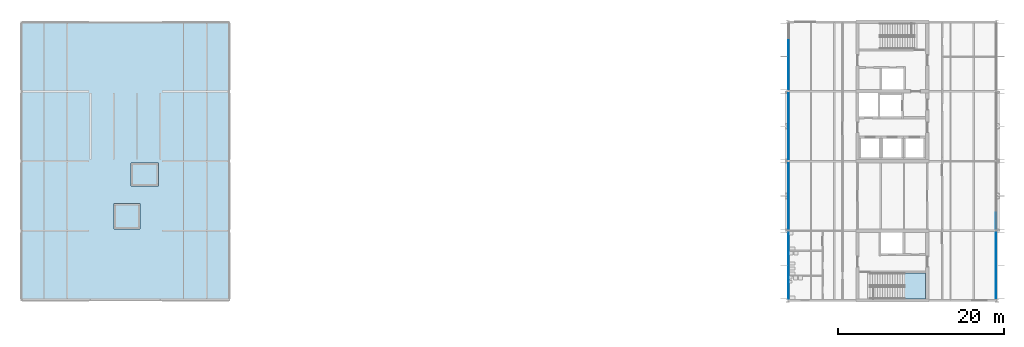
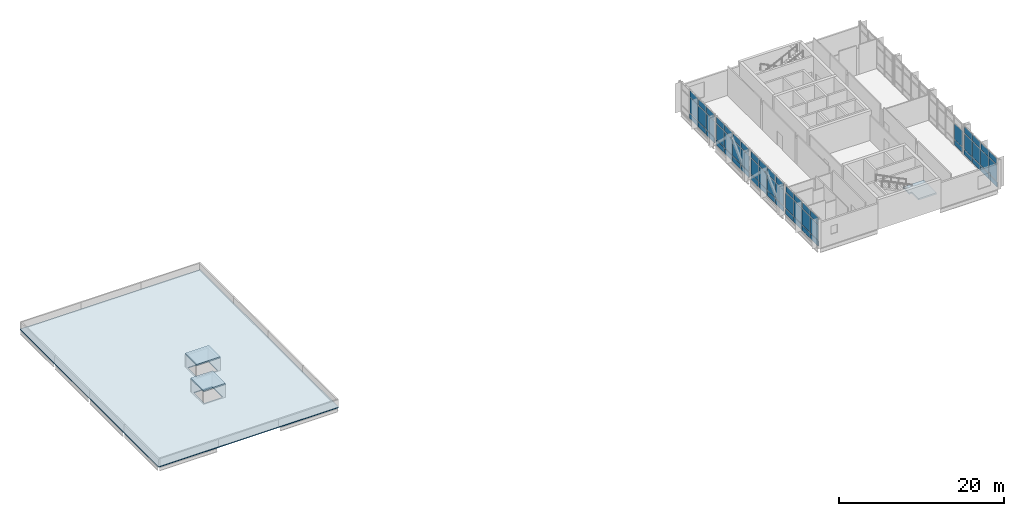
# One storey, part 7 of 14: 59 plates, 4 slabs, 7 elements without a shape of their own.
"""IFC4 building model written with IfcOpenShell, lengths in metres."""

from ifc_helpers import new_model, si_unit, direction, frame, origin, origin_2d, place, context, subcontext, project, spatial, polyline, rectangle, outline, extrude, material, layer, layer_set, type_object, element, aggregate, save


model = new_model("IFC4")

# Units and contexts
model_context = context("Model", 3, precision=1e-05, world=origin(), true_north=direction((0.0, 1.0)))
body_context = subcontext(model_context, "Body", "Model", "MODEL_VIEW")
ifc_project = project(units=[si_unit("LENGTHUNIT", "METRE"), si_unit("AREAUNIT", "SQUARE_METRE"), si_unit("VOLUMEUNIT", "CUBIC_METRE"), si_unit("PLANEANGLEUNIT", "RADIAN"), si_unit("MASSUNIT", "GRAM", prefix="KILO")], contexts=[model_context])

# Site, building, storey
site_placement = place(None, origin())
site = spatial("IfcSite", under=ifc_project, at=site_placement, CompositionType="ELEMENT")
building_placement = place(site_placement, origin())
building = spatial("IfcBuilding", under=site, at=building_placement, Name="Hlaing Beacon Police Headquarters", CompositionType="ELEMENT")
storey_placement = place(building_placement, frame((0.0, 0.0, 27.89990234375)))
storey = spatial("IfcBuildingStorey", under=building, at=storey_placement, Name="L06", CompositionType="ELEMENT", Elevation=27.89990234375)

# Curtain wall, plates
ifc_material_1 = material(Name="Aluminium frame with solar control glazing", Category="aluminium")
curtain_wall_type_1 = type_object("IfcCurtainWallType", Name="Unitised curtain wall 8.03 x 4.37", PredefinedType="NOTDEFINED", material=ifc_material_1)
curtain_wall_1_placement = place(storey_placement, origin())
curtain_wall_1 = element("IfcCurtainWall", 1, at=curtain_wall_1_placement, inside=storey, type_object=curtain_wall_type_1, Name="ENV-CW-L06-E001", PredefinedType="NOTDEFINED")
ifc_material_2 = material(Name="Solar control glazing", Category="glass")
ifc_layer_1 = layer(ifc_material_2, 0.0439453125)
ifc_layer_set_1 = layer_set([ifc_layer_1], Name="Solar control glazing")
plate_type_1 = type_object("IfcPlateType", Name="Clear glazing panel 44", PredefinedType="CURTAIN_PANEL", material=ifc_layer_set_1)
plate_1_placement = place(storey_placement, frame((125.89990234375, 36.801025390625, 0.9501953125), z_axis=(0.0, 0.0, 1.0), x_axis=(0.0, 1.0, 0.0)))
plate_1 = element("IfcPlate", 2, at=plate_1_placement, type_object=plate_type_1, Name="CW-L06-E001 panel 2.2", PredefinedType="CURTAIN_PANEL", context=body_context, shape_type="SweptSolid", body=[
    extrude(rectangle(XDim=1.947021484375, YDim=0.0439453125, at=origin_2d()), origin(), (0.0, 0.0, 1.0), 2.300048828125),
])
plate_2_placement = place(storey_placement, frame((125.89990234375, 40.7998046875, 0.9501953125), z_axis=(0.0, 0.0, 1.0), x_axis=(0.0, 1.0, 0.0)))
plate_2 = element("IfcPlate", 3, at=plate_2_placement, type_object=plate_type_1, Name="CW-L06-E001 panel 4.2", PredefinedType="CURTAIN_PANEL", context=body_context, shape_type="SweptSolid", body=[
    extrude(rectangle(XDim=1.9169921875, YDim=0.0439453125, at=origin_2d()), origin(), (0.0, 0.0, 1.0), 2.300048828125),
])

ifc_material_3 = material(Name="Aluminium frame with solar control glazing", Category="aluminium")
curtain_wall_type_2 = type_object("IfcCurtainWallType", Name="Unitised curtain wall 8.04 x 4.37", PredefinedType="NOTDEFINED", material=ifc_material_3)
curtain_wall_2_placement = place(storey_placement, origin())
curtain_wall_2 = element("IfcCurtainWall", 4, at=curtain_wall_2_placement, inside=storey, type_object=curtain_wall_type_2, Name="ENV-CW-L06-W005", PredefinedType="NOTDEFINED")
plate_3_placement = place(storey_placement, frame((100.89990234375, 64.007080078125, 0.9501953125), z_axis=(0.0, 0.0, 1.0), x_axis=(0.0, -1.0, 0.0)))
plate_3 = element("IfcPlate", 5, at=plate_3_placement, type_object=plate_type_1, Name="CW-L06-W005 panel 2.2", PredefinedType="CURTAIN_PANEL", context=body_context, shape_type="SweptSolid", body=[
    extrude(rectangle(XDim=1.9501953125, YDim=0.0439453125, at=origin_2d()), origin(), (0.0, 0.0, 1.0), 2.300048828125),
])
plate_4_placement = place(storey_placement, frame((100.89990234375, 60.001708984375, 0.9501953125), z_axis=(0.0, 0.0, 1.0), x_axis=(0.0, -1.0, 0.0)))
plate_4 = element("IfcPlate", 6, at=plate_4_placement, type_object=plate_type_1, Name="CW-L06-W005 panel 4.2", PredefinedType="CURTAIN_PANEL", context=body_context, shape_type="SweptSolid", body=[
    extrude(rectangle(XDim=1.920166015625, YDim=0.0439453125, at=origin_2d()), origin(), (0.0, 0.0, 1.0), 2.300048828125),
])

curtain_wall_3_placement = place(storey_placement, origin())
curtain_wall_3 = element("IfcCurtainWall", 7, at=curtain_wall_3_placement, inside=storey, type_object=curtain_wall_type_2, Name="ENV-CW-L06-W006", PredefinedType="NOTDEFINED")
plate_5_placement = place(storey_placement, frame((100.889892578125, 55.6044921875, 0.9501953125), z_axis=(0.0, 0.0, 1.0), x_axis=(0.0, -1.0, 0.0)))
plate_5 = element("IfcPlate", 8, at=plate_5_placement, type_object=plate_type_1, Name="CW-L06-W006 panel 2.2", PredefinedType="CURTAIN_PANEL", context=body_context, shape_type="SweptSolid", body=[
    extrude(rectangle(XDim=1.94921875, YDim=0.0439453125, at=origin_2d()), origin(), (0.0, 0.0, 1.0), 2.300048828125),
])
plate_6_placement = place(storey_placement, frame((100.889892578125, 51.601318359375, 0.9501953125), z_axis=(0.0, 0.0, 1.0), x_axis=(0.0, -1.0, 0.0)))
plate_6 = element("IfcPlate", 9, at=plate_6_placement, type_object=plate_type_1, Name="CW-L06-W006 panel 4.2", PredefinedType="CURTAIN_PANEL", context=body_context, shape_type="SweptSolid", body=[
    extrude(rectangle(XDim=1.919189453125, YDim=0.0439453125, at=origin_2d()), origin(), (0.0, 0.0, 1.0), 2.300048828125),
])

curtain_wall_4_placement = place(storey_placement, origin())
curtain_wall_4 = element("IfcCurtainWall", 10, at=curtain_wall_4_placement, inside=storey, type_object=curtain_wall_type_2, Name="ENV-CW-L06-W007", PredefinedType="NOTDEFINED")
plate_7_placement = place(storey_placement, frame((100.889892578125, 47.20458984375, 0.9501953125), z_axis=(0.0, 0.0, 1.0), x_axis=(0.0, -1.0, 0.0)))
plate_7 = element("IfcPlate", 11, at=plate_7_placement, type_object=plate_type_1, Name="CW-L06-W007 panel 2.2", PredefinedType="CURTAIN_PANEL", context=body_context, shape_type="SweptSolid", body=[
    extrude(rectangle(XDim=1.94921875, YDim=0.0439453125, at=origin_2d()), origin(), (0.0, 0.0, 1.0), 2.300048828125),
])
plate_8_placement = place(storey_placement, frame((100.889892578125, 43.201171875, 0.9501953125), z_axis=(0.0, 0.0, 1.0), x_axis=(0.0, -1.0, 0.0)))
plate_8 = element("IfcPlate", 12, at=plate_8_placement, type_object=plate_type_1, Name="CW-L06-W007 panel 4.2", PredefinedType="CURTAIN_PANEL", context=body_context, shape_type="SweptSolid", body=[
    extrude(rectangle(XDim=1.919189453125, YDim=0.0439453125, at=origin_2d()), origin(), (0.0, 0.0, 1.0), 2.300048828125),
])

curtain_wall_5_placement = place(storey_placement, origin())
curtain_wall_5 = element("IfcCurtainWall", 13, at=curtain_wall_5_placement, inside=storey, type_object=curtain_wall_type_2, Name="ENV-CW-L06-W008", PredefinedType="NOTDEFINED")
plate_9_placement = place(storey_placement, frame((100.89990234375, 38.80322265625, 0.9501953125), z_axis=(0.0, 0.0, 1.0), x_axis=(0.0, -1.0, 0.0)))
plate_9 = element("IfcPlate", 14, at=plate_9_placement, type_object=plate_type_1, Name="CW-L06-W008 panel 2.2", PredefinedType="CURTAIN_PANEL", context=body_context, shape_type="SweptSolid", body=[
    extrude(rectangle(XDim=1.9501953125, YDim=0.0439453125, at=origin_2d()), origin(), (0.0, 0.0, 1.0), 2.300048828125),
])
plate_10_placement = place(storey_placement, frame((100.89990234375, 34.7978515625, 0.9501953125), z_axis=(0.0, 0.0, 1.0), x_axis=(0.0, -1.0, 0.0)))
plate_10 = element("IfcPlate", 15, at=plate_10_placement, type_object=plate_type_1, Name="CW-L06-W008 panel 4.2", PredefinedType="CURTAIN_PANEL", context=body_context, shape_type="SweptSolid", body=[
    extrude(rectangle(XDim=1.920166015625, YDim=0.0439453125, at=origin_2d()), origin(), (0.0, 0.0, 1.0), 2.300048828125),
])

# Plate
ifc_material_4 = material(Name="Fritted solar control glazing", Category="glass")
ifc_layer_2 = layer(ifc_material_4, 0.0439453125)
ifc_layer_set_2 = layer_set([ifc_layer_2], Name="Fritted solar control glazing")
plate_type_2 = type_object("IfcPlateType", Name="Fritted glazing panel 44", PredefinedType="CURTAIN_PANEL", material=ifc_layer_set_2)
plate_11_placement = place(storey_placement, frame((125.89990234375, 34.80908203125, 0.9501953125), z_axis=(0.0, 0.0, 1.0), x_axis=(0.0, 1.0, 0.0)))
plate_11 = element("IfcPlate", 16, at=plate_11_placement, type_object=plate_type_2, Name="CW-L06-E001 panel 1.2", PredefinedType="CURTAIN_PANEL", context=body_context, shape_type="SweptSolid", body=[
    extrude(rectangle(XDim=1.9169921875, YDim=0.0439453125, at=origin_2d()), origin(), (0.0, 0.0, 1.0), 2.300048828125),
])

plate_12_placement = place(storey_placement, frame((125.89990234375, 38.807861328125, 0.9501953125), z_axis=(0.0, 0.0, 1.0), x_axis=(0.0, 1.0, 0.0)))
plate_12 = element("IfcPlate", 17, at=plate_12_placement, type_object=plate_type_2, Name="CW-L06-E001 panel 3.2", PredefinedType="CURTAIN_PANEL", context=body_context, shape_type="SweptSolid", body=[
    extrude(rectangle(XDim=1.947021484375, YDim=0.0439453125, at=origin_2d()), origin(), (0.0, 0.0, 1.0), 2.300048828125),
])

# Curtain wall, plate
curtain_wall_6_placement = place(storey_placement, origin())
curtain_wall_6 = element("IfcCurtainWall", 18, at=curtain_wall_6_placement, inside=storey, type_object=curtain_wall_type_2, Name="ENV-CW-L06-E002", PredefinedType="NOTDEFINED")
plate_13_placement = place(storey_placement, frame((125.909912109375, 43.201171875, 0.9501953125), z_axis=(0.0, 0.0, 1.0), x_axis=(0.0, 1.0, 0.0)))
plate_13 = element("IfcPlate", 19, at=plate_13_placement, type_object=plate_type_2, Name="CW-L06-E002 panel 1.2", PredefinedType="CURTAIN_PANEL", context=body_context, shape_type="SweptSolid", body=[
    extrude(rectangle(XDim=1.919189453125, YDim=0.0439453125, at=origin_2d()), origin(), (0.0, 0.0, 1.0), 2.300048828125),
])

# Plate
plate_14_placement = place(storey_placement, frame((100.89990234375, 61.996826171875, 0.9501953125), z_axis=(0.0, 0.0, 1.0), x_axis=(0.0, -1.0, 0.0)))
plate_14 = element("IfcPlate", 20, at=plate_14_placement, type_object=plate_type_2, Name="CW-L06-W005 panel 3.2", PredefinedType="CURTAIN_PANEL", context=body_context, shape_type="SweptSolid", body=[
    extrude(rectangle(XDim=1.9501953125, YDim=0.0439453125, at=origin_2d()), origin(), (0.0, 0.0, 1.0), 2.300048828125),
])

plate_15_placement = place(storey_placement, frame((100.889892578125, 57.598876953125, 0.9501953125), z_axis=(0.0, 0.0, 1.0), x_axis=(0.0, -1.0, 0.0)))
plate_15 = element("IfcPlate", 21, at=plate_15_placement, type_object=plate_type_2, Name="CW-L06-W006 panel 1.2", PredefinedType="CURTAIN_PANEL", context=body_context, shape_type="SweptSolid", body=[
    extrude(rectangle(XDim=1.919189453125, YDim=0.0439453125, at=origin_2d()), origin(), (0.0, 0.0, 1.0), 2.300048828125),
])

plate_16_placement = place(storey_placement, frame((100.889892578125, 53.595458984375, 0.9501953125), z_axis=(0.0, 0.0, 1.0), x_axis=(0.0, -1.0, 0.0)))
plate_16 = element("IfcPlate", 22, at=plate_16_placement, type_object=plate_type_2, Name="CW-L06-W006 panel 3.2", PredefinedType="CURTAIN_PANEL", context=body_context, shape_type="SweptSolid", body=[
    extrude(rectangle(XDim=1.94921875, YDim=0.0439453125, at=origin_2d()), origin(), (0.0, 0.0, 1.0), 2.300048828125),
])

plate_17_placement = place(storey_placement, frame((100.889892578125, 49.19873046875, 0.9501953125), z_axis=(0.0, 0.0, 1.0), x_axis=(0.0, -1.0, 0.0)))
plate_17 = element("IfcPlate", 23, at=plate_17_placement, type_object=plate_type_2, Name="CW-L06-W007 panel 1.2", PredefinedType="CURTAIN_PANEL", context=body_context, shape_type="SweptSolid", body=[
    extrude(rectangle(XDim=1.919189453125, YDim=0.0439453125, at=origin_2d()), origin(), (0.0, 0.0, 1.0), 2.300048828125),
])

plate_18_placement = place(storey_placement, frame((100.889892578125, 45.1953125, 0.9501953125), z_axis=(0.0, 0.0, 1.0), x_axis=(0.0, -1.0, 0.0)))
plate_18 = element("IfcPlate", 24, at=plate_18_placement, type_object=plate_type_2, Name="CW-L06-W007 panel 3.2", PredefinedType="CURTAIN_PANEL", context=body_context, shape_type="SweptSolid", body=[
    extrude(rectangle(XDim=1.94921875, YDim=0.0439453125, at=origin_2d()), origin(), (0.0, 0.0, 1.0), 2.300048828125),
])

plate_19_placement = place(storey_placement, frame((100.89990234375, 40.79833984375, 0.9501953125), z_axis=(0.0, 0.0, 1.0), x_axis=(0.0, -1.0, 0.0)))
plate_19 = element("IfcPlate", 25, at=plate_19_placement, type_object=plate_type_2, Name="CW-L06-W008 panel 1.2", PredefinedType="CURTAIN_PANEL", context=body_context, shape_type="SweptSolid", body=[
    extrude(rectangle(XDim=1.920166015625, YDim=0.0439453125, at=origin_2d()), origin(), (0.0, 0.0, 1.0), 2.300048828125),
])

plate_20_placement = place(storey_placement, frame((100.89990234375, 36.79296875, 0.9501953125), z_axis=(0.0, 0.0, 1.0), x_axis=(0.0, -1.0, 0.0)))
plate_20 = element("IfcPlate", 26, at=plate_20_placement, type_object=plate_type_2, Name="CW-L06-W008 panel 3.2", PredefinedType="CURTAIN_PANEL", context=body_context, shape_type="SweptSolid", body=[
    extrude(rectangle(XDim=1.9501953125, YDim=0.0439453125, at=origin_2d()), origin(), (0.0, 0.0, 1.0), 2.300048828125),
])

ifc_material_5 = material(Name="Insulated aluminium spandrel", Category="aluminium")
ifc_layer_3 = layer(ifc_material_5, 0.06005859375)
ifc_layer_set_3 = layer_set([ifc_layer_3], Name="Insulated aluminium spandrel")
plate_type_3 = type_object("IfcPlateType", Name="Insulated spandrel panel 60", PredefinedType="CURTAIN_PANEL", material=ifc_layer_set_3)
plate_21_placement = place(storey_placement, frame((125.89990234375, 34.80908203125, 0.10009765625), z_axis=(0.0, 0.0, 1.0), x_axis=(0.0, 1.0, 0.0)))
plate_21 = element("IfcPlate", 27, at=plate_21_placement, type_object=plate_type_3, Name="CW-L06-E001 panel 1.1", PredefinedType="CURTAIN_PANEL", context=body_context, shape_type="SweptSolid", body=[
    extrude(rectangle(XDim=1.9169921875, YDim=0.06005859375, at=origin_2d()), origin(), (0.0, 0.0, 1.0), 0.75),
])

plate_22_placement = place(storey_placement, frame((125.89990234375, 36.801025390625, 0.10009765625), z_axis=(0.0, 0.0, 1.0), x_axis=(0.0, 1.0, 0.0)))
plate_22 = element("IfcPlate", 28, at=plate_22_placement, type_object=plate_type_3, Name="CW-L06-E001 panel 2.1", PredefinedType="CURTAIN_PANEL", context=body_context, shape_type="SweptSolid", body=[
    extrude(rectangle(XDim=1.947021484375, YDim=0.06005859375, at=origin_2d()), origin(), (0.0, 0.0, 1.0), 0.75),
])

plate_23_placement = place(storey_placement, frame((125.89990234375, 38.807861328125, 0.10009765625), z_axis=(0.0, 0.0, 1.0), x_axis=(0.0, 1.0, 0.0)))
plate_23 = element("IfcPlate", 29, at=plate_23_placement, type_object=plate_type_3, Name="CW-L06-E001 panel 3.1", PredefinedType="CURTAIN_PANEL", context=body_context, shape_type="SweptSolid", body=[
    extrude(rectangle(XDim=1.947021484375, YDim=0.06005859375, at=origin_2d()), origin(), (0.0, 0.0, 1.0), 0.75),
])

plate_24_placement = place(storey_placement, frame((125.89990234375, 40.7998046875, 0.10009765625), z_axis=(0.0, 0.0, 1.0), x_axis=(0.0, 1.0, 0.0)))
plate_24 = element("IfcPlate", 30, at=plate_24_placement, type_object=plate_type_3, Name="CW-L06-E001 panel 4.1", PredefinedType="CURTAIN_PANEL", context=body_context, shape_type="SweptSolid", body=[
    extrude(rectangle(XDim=1.9169921875, YDim=0.06005859375, at=origin_2d()), origin(), (0.0, 0.0, 1.0), 0.75),
])

plate_25_placement = place(storey_placement, frame((125.909912109375, 43.201171875, 0.10009765625), z_axis=(0.0, 0.0, 1.0), x_axis=(0.0, 1.0, 0.0)))
plate_25 = element("IfcPlate", 31, at=plate_25_placement, type_object=plate_type_3, Name="CW-L06-E002 panel 1.1", PredefinedType="CURTAIN_PANEL", context=body_context, shape_type="SweptSolid", body=[
    extrude(rectangle(XDim=1.919189453125, YDim=0.06005859375, at=origin_2d()), origin(), (0.0, 0.0, 1.0), 0.75),
])

aggregate(curtain_wall_6, [plate_25, plate_13])

ifc_material_6 = material(Name="Insulated aluminium spandrel", Category="aluminium")
ifc_layer_4 = layer(ifc_material_6, 0.080078125)
ifc_layer_set_4 = layer_set([ifc_layer_4], Name="Insulated aluminium spandrel")
plate_type_4 = type_object("IfcPlateType", Name="Insulated spandrel panel 80", PredefinedType="CURTAIN_PANEL", material=ifc_layer_set_4)
plate_26_placement = place(storey_placement, frame((100.89990234375, 64.007080078125, 0.10009765625), z_axis=(0.0, 0.0, 1.0), x_axis=(0.0, -1.0, 0.0)))
plate_26 = element("IfcPlate", 32, at=plate_26_placement, type_object=plate_type_4, Name="CW-L06-W005 panel 2.1", PredefinedType="CURTAIN_PANEL", context=body_context, shape_type="SweptSolid", body=[
    extrude(rectangle(XDim=1.9501953125, YDim=0.080078125, at=origin_2d()), origin(), (0.0, 0.0, 1.0), 0.75),
])

plate_27_placement = place(storey_placement, frame((100.89990234375, 61.996826171875, 0.10009765625), z_axis=(0.0, 0.0, 1.0), x_axis=(0.0, -1.0, 0.0)))
plate_27 = element("IfcPlate", 33, at=plate_27_placement, type_object=plate_type_4, Name="CW-L06-W005 panel 3.1", PredefinedType="CURTAIN_PANEL", context=body_context, shape_type="SweptSolid", body=[
    extrude(rectangle(XDim=1.9501953125, YDim=0.080078125, at=origin_2d()), origin(), (0.0, 0.0, 1.0), 0.75),
])

plate_28_placement = place(storey_placement, frame((100.89990234375, 60.001708984375, 0.10009765625), z_axis=(0.0, 0.0, 1.0), x_axis=(0.0, -1.0, 0.0)))
plate_28 = element("IfcPlate", 34, at=plate_28_placement, type_object=plate_type_4, Name="CW-L06-W005 panel 4.1", PredefinedType="CURTAIN_PANEL", context=body_context, shape_type="SweptSolid", body=[
    extrude(rectangle(XDim=1.920166015625, YDim=0.080078125, at=origin_2d()), origin(), (0.0, 0.0, 1.0), 0.75),
])

plate_29_placement = place(storey_placement, frame((100.889892578125, 57.598876953125, 0.10009765625), z_axis=(0.0, 0.0, 1.0), x_axis=(0.0, -1.0, 0.0)))
plate_29 = element("IfcPlate", 35, at=plate_29_placement, type_object=plate_type_4, Name="CW-L06-W006 panel 1.1", PredefinedType="CURTAIN_PANEL", context=body_context, shape_type="SweptSolid", body=[
    extrude(rectangle(XDim=1.919189453125, YDim=0.080078125, at=origin_2d()), origin(), (0.0, 0.0, 1.0), 0.75),
])

plate_30_placement = place(storey_placement, frame((100.889892578125, 55.6044921875, 0.10009765625), z_axis=(0.0, 0.0, 1.0), x_axis=(0.0, -1.0, 0.0)))
plate_30 = element("IfcPlate", 36, at=plate_30_placement, type_object=plate_type_4, Name="CW-L06-W006 panel 2.1", PredefinedType="CURTAIN_PANEL", context=body_context, shape_type="SweptSolid", body=[
    extrude(rectangle(XDim=1.94921875, YDim=0.080078125, at=origin_2d()), origin(), (0.0, 0.0, 1.0), 0.75),
])

plate_31_placement = place(storey_placement, frame((100.889892578125, 53.595458984375, 0.10009765625), z_axis=(0.0, 0.0, 1.0), x_axis=(0.0, -1.0, 0.0)))
plate_31 = element("IfcPlate", 37, at=plate_31_placement, type_object=plate_type_4, Name="CW-L06-W006 panel 3.1", PredefinedType="CURTAIN_PANEL", context=body_context, shape_type="SweptSolid", body=[
    extrude(rectangle(XDim=1.94921875, YDim=0.080078125, at=origin_2d()), origin(), (0.0, 0.0, 1.0), 0.75),
])

plate_32_placement = place(storey_placement, frame((100.889892578125, 51.601318359375, 0.10009765625), z_axis=(0.0, 0.0, 1.0), x_axis=(0.0, -1.0, 0.0)))
plate_32 = element("IfcPlate", 38, at=plate_32_placement, type_object=plate_type_4, Name="CW-L06-W006 panel 4.1", PredefinedType="CURTAIN_PANEL", context=body_context, shape_type="SweptSolid", body=[
    extrude(rectangle(XDim=1.919189453125, YDim=0.080078125, at=origin_2d()), origin(), (0.0, 0.0, 1.0), 0.75),
])

plate_33_placement = place(storey_placement, frame((100.889892578125, 49.19873046875, 0.10009765625), z_axis=(0.0, 0.0, 1.0), x_axis=(0.0, -1.0, 0.0)))
plate_33 = element("IfcPlate", 39, at=plate_33_placement, type_object=plate_type_4, Name="CW-L06-W007 panel 1.1", PredefinedType="CURTAIN_PANEL", context=body_context, shape_type="SweptSolid", body=[
    extrude(rectangle(XDim=1.919189453125, YDim=0.080078125, at=origin_2d()), origin(), (0.0, 0.0, 1.0), 0.75),
])

plate_34_placement = place(storey_placement, frame((100.889892578125, 47.20458984375, 0.10009765625), z_axis=(0.0, 0.0, 1.0), x_axis=(0.0, -1.0, 0.0)))
plate_34 = element("IfcPlate", 40, at=plate_34_placement, type_object=plate_type_4, Name="CW-L06-W007 panel 2.1", PredefinedType="CURTAIN_PANEL", context=body_context, shape_type="SweptSolid", body=[
    extrude(rectangle(XDim=1.94921875, YDim=0.080078125, at=origin_2d()), origin(), (0.0, 0.0, 1.0), 0.75),
])

plate_35_placement = place(storey_placement, frame((100.889892578125, 45.1953125, 0.10009765625), z_axis=(0.0, 0.0, 1.0), x_axis=(0.0, -1.0, 0.0)))
plate_35 = element("IfcPlate", 41, at=plate_35_placement, type_object=plate_type_4, Name="CW-L06-W007 panel 3.1", PredefinedType="CURTAIN_PANEL", context=body_context, shape_type="SweptSolid", body=[
    extrude(rectangle(XDim=1.94921875, YDim=0.080078125, at=origin_2d()), origin(), (0.0, 0.0, 1.0), 0.75),
])

plate_36_placement = place(storey_placement, frame((100.889892578125, 43.201171875, 0.10009765625), z_axis=(0.0, 0.0, 1.0), x_axis=(0.0, -1.0, 0.0)))
plate_36 = element("IfcPlate", 42, at=plate_36_placement, type_object=plate_type_4, Name="CW-L06-W007 panel 4.1", PredefinedType="CURTAIN_PANEL", context=body_context, shape_type="SweptSolid", body=[
    extrude(rectangle(XDim=1.919189453125, YDim=0.080078125, at=origin_2d()), origin(), (0.0, 0.0, 1.0), 0.75),
])

plate_37_placement = place(storey_placement, frame((100.89990234375, 40.79833984375, 0.10009765625), z_axis=(0.0, 0.0, 1.0), x_axis=(0.0, -1.0, 0.0)))
plate_37 = element("IfcPlate", 43, at=plate_37_placement, type_object=plate_type_4, Name="CW-L06-W008 panel 1.1", PredefinedType="CURTAIN_PANEL", context=body_context, shape_type="SweptSolid", body=[
    extrude(rectangle(XDim=1.920166015625, YDim=0.080078125, at=origin_2d()), origin(), (0.0, 0.0, 1.0), 0.75),
])

plate_38_placement = place(storey_placement, frame((100.89990234375, 38.80322265625, 0.10009765625), z_axis=(0.0, 0.0, 1.0), x_axis=(0.0, -1.0, 0.0)))
plate_38 = element("IfcPlate", 44, at=plate_38_placement, type_object=plate_type_4, Name="CW-L06-W008 panel 2.1", PredefinedType="CURTAIN_PANEL", context=body_context, shape_type="SweptSolid", body=[
    extrude(rectangle(XDim=1.9501953125, YDim=0.080078125, at=origin_2d()), origin(), (0.0, 0.0, 1.0), 0.75),
])

plate_39_placement = place(storey_placement, frame((100.89990234375, 36.79296875, 0.10009765625), z_axis=(0.0, 0.0, 1.0), x_axis=(0.0, -1.0, 0.0)))
plate_39 = element("IfcPlate", 45, at=plate_39_placement, type_object=plate_type_4, Name="CW-L06-W008 panel 3.1", PredefinedType="CURTAIN_PANEL", context=body_context, shape_type="SweptSolid", body=[
    extrude(rectangle(XDim=1.9501953125, YDim=0.080078125, at=origin_2d()), origin(), (0.0, 0.0, 1.0), 0.75),
])

plate_40_placement = place(storey_placement, frame((100.89990234375, 34.7978515625, 0.10009765625), z_axis=(0.0, 0.0, 1.0), x_axis=(0.0, -1.0, 0.0)))
plate_40 = element("IfcPlate", 46, at=plate_40_placement, type_object=plate_type_4, Name="CW-L06-W008 panel 4.1", PredefinedType="CURTAIN_PANEL", context=body_context, shape_type="SweptSolid", body=[
    extrude(rectangle(XDim=1.920166015625, YDim=0.080078125, at=origin_2d()), origin(), (0.0, 0.0, 1.0), 0.75),
])

# Slabs
ifc_material_7 = material(Name="Concrete C40/50", Category="concrete")
ifc_layer_5 = layer(ifc_material_7, 0.199951171875)
ifc_layer_set_5 = layer_set([ifc_layer_5], Name="Concrete C40/50")
slab_type_1 = type_object("IfcSlabType", Name="Overrun roof slab 200", PredefinedType="ROOF", material=ifc_layer_set_5)
slab_1_placement = place(storey_placement, frame((0.0, 0.0, 1.900146484375)))
element("IfcSlab", 47, at=slab_1_placement, inside=storey, type_object=slab_type_1, Name="Lift overrun roof", PredefinedType="ROOF", context=body_context, shape_type="SweptSolid", body=[
    extrude(outline(polyline([(21.699951171875, 47.39990234375), (25.0, 47.39990234375), (25.0, 50.199951171875), (21.699951171875, 50.199951171875), (21.699951171875, 47.39990234375)])), origin(), (0.0, 0.0, 1.0), 0.199951171875),
])
slab_2_placement = place(storey_placement, frame((0.0, 0.0, 1.900146484375)))
element("IfcSlab", 48, at=slab_2_placement, inside=storey, type_object=slab_type_1, Name="Lift overrun roof", PredefinedType="ROOF", context=body_context, shape_type="SweptSolid", body=[
    extrude(outline(polyline([(19.64990234375, 42.199951171875), (22.75, 42.199951171875), (22.75, 45.300048828125), (19.64990234375, 45.300048828125), (19.64990234375, 42.199951171875)])), origin(), (0.0, 0.0, 1.0), 0.199951171875),
])

# Plate
ifc_material_8 = material(Name="Perforated aluminium", Category="aluminium")
ifc_layer_6 = layer(ifc_material_8, 0.00390625)
ifc_layer_set_6 = layer_set([ifc_layer_6], Name="Perforated aluminium")
plate_type_5 = type_object("IfcPlateType", Name="Perforated aluminium vent panel 4", PredefinedType="CURTAIN_PANEL", material=ifc_layer_set_6)
plate_41_placement = place(storey_placement, frame((125.89990234375, 34.80908203125, 3.35009765625), z_axis=(0.0, 0.0, 1.0), x_axis=(0.0, 1.0, 0.0)))
plate_41 = element("IfcPlate", 49, at=plate_41_placement, type_object=plate_type_5, Name="CW-L06-E001 panel 1.3", PredefinedType="CURTAIN_PANEL", context=body_context, shape_type="SweptSolid", body=[
    extrude(rectangle(XDim=1.9169921875, YDim=0.00390625, at=origin_2d()), origin(), (0.0, 0.0, 1.0), 0.919921875),
])

plate_42_placement = place(storey_placement, frame((125.89990234375, 36.801025390625, 3.35009765625), z_axis=(0.0, 0.0, 1.0), x_axis=(0.0, 1.0, 0.0)))
plate_42 = element("IfcPlate", 50, at=plate_42_placement, type_object=plate_type_5, Name="CW-L06-E001 panel 2.3", PredefinedType="CURTAIN_PANEL", context=body_context, shape_type="SweptSolid", body=[
    extrude(rectangle(XDim=1.947021484375, YDim=0.00390625, at=origin_2d()), origin(), (0.0, 0.0, 1.0), 0.919921875),
])

plate_43_placement = place(storey_placement, frame((125.89990234375, 38.807861328125, 3.35009765625), z_axis=(0.0, 0.0, 1.0), x_axis=(0.0, 1.0, 0.0)))
plate_43 = element("IfcPlate", 51, at=plate_43_placement, type_object=plate_type_5, Name="CW-L06-E001 panel 3.3", PredefinedType="CURTAIN_PANEL", context=body_context, shape_type="SweptSolid", body=[
    extrude(rectangle(XDim=1.947021484375, YDim=0.00390625, at=origin_2d()), origin(), (0.0, 0.0, 1.0), 0.919921875),
])

plate_44_placement = place(storey_placement, frame((125.89990234375, 40.7998046875, 3.35009765625), z_axis=(0.0, 0.0, 1.0), x_axis=(0.0, 1.0, 0.0)))
plate_44 = element("IfcPlate", 52, at=plate_44_placement, type_object=plate_type_5, Name="CW-L06-E001 panel 4.3", PredefinedType="CURTAIN_PANEL", context=body_context, shape_type="SweptSolid", body=[
    extrude(rectangle(XDim=1.9169921875, YDim=0.00390625, at=origin_2d()), origin(), (0.0, 0.0, 1.0), 0.919921875),
])

aggregate(curtain_wall_1, [plate_21, plate_11, plate_41, plate_22, plate_1, plate_42, plate_23, plate_12, plate_43, plate_24, plate_2, plate_44])

plate_45_placement = place(storey_placement, frame((100.89990234375, 64.007080078125, 3.35009765625), z_axis=(0.0, 0.0, 1.0), x_axis=(0.0, -1.0, 0.0)))
plate_45 = element("IfcPlate", 53, at=plate_45_placement, type_object=plate_type_5, Name="CW-L06-W005 panel 2.3", PredefinedType="CURTAIN_PANEL", context=body_context, shape_type="SweptSolid", body=[
    extrude(rectangle(XDim=1.9501953125, YDim=0.00390625, at=origin_2d()), origin(), (0.0, 0.0, 1.0), 0.919921875),
])

plate_46_placement = place(storey_placement, frame((100.89990234375, 61.996826171875, 3.35009765625), z_axis=(0.0, 0.0, 1.0), x_axis=(0.0, -1.0, 0.0)))
plate_46 = element("IfcPlate", 54, at=plate_46_placement, type_object=plate_type_5, Name="CW-L06-W005 panel 3.3", PredefinedType="CURTAIN_PANEL", context=body_context, shape_type="SweptSolid", body=[
    extrude(rectangle(XDim=1.9501953125, YDim=0.00390625, at=origin_2d()), origin(), (0.0, 0.0, 1.0), 0.919921875),
])

plate_47_placement = place(storey_placement, frame((100.89990234375, 60.001708984375, 3.35009765625), z_axis=(0.0, 0.0, 1.0), x_axis=(0.0, -1.0, 0.0)))
plate_47 = element("IfcPlate", 55, at=plate_47_placement, type_object=plate_type_5, Name="CW-L06-W005 panel 4.3", PredefinedType="CURTAIN_PANEL", context=body_context, shape_type="SweptSolid", body=[
    extrude(rectangle(XDim=1.920166015625, YDim=0.00390625, at=origin_2d()), origin(), (0.0, 0.0, 1.0), 0.919921875),
])

aggregate(curtain_wall_2, [plate_26, plate_3, plate_45, plate_27, plate_14, plate_46, plate_28, plate_4, plate_47])

plate_48_placement = place(storey_placement, frame((100.889892578125, 57.598876953125, 3.35009765625), z_axis=(0.0, 0.0, 1.0), x_axis=(0.0, -1.0, 0.0)))
plate_48 = element("IfcPlate", 56, at=plate_48_placement, type_object=plate_type_5, Name="CW-L06-W006 panel 1.3", PredefinedType="CURTAIN_PANEL", context=body_context, shape_type="SweptSolid", body=[
    extrude(rectangle(XDim=1.919189453125, YDim=0.00390625, at=origin_2d()), origin(), (0.0, 0.0, 1.0), 0.919921875),
])

plate_49_placement = place(storey_placement, frame((100.889892578125, 55.6044921875, 3.35009765625), z_axis=(0.0, 0.0, 1.0), x_axis=(0.0, -1.0, 0.0)))
plate_49 = element("IfcPlate", 57, at=plate_49_placement, type_object=plate_type_5, Name="CW-L06-W006 panel 2.3", PredefinedType="CURTAIN_PANEL", context=body_context, shape_type="SweptSolid", body=[
    extrude(rectangle(XDim=1.94921875, YDim=0.00390625, at=origin_2d()), origin(), (0.0, 0.0, 1.0), 0.919921875),
])

plate_50_placement = place(storey_placement, frame((100.889892578125, 53.595458984375, 3.35009765625), z_axis=(0.0, 0.0, 1.0), x_axis=(0.0, -1.0, 0.0)))
plate_50 = element("IfcPlate", 58, at=plate_50_placement, type_object=plate_type_5, Name="CW-L06-W006 panel 3.3", PredefinedType="CURTAIN_PANEL", context=body_context, shape_type="SweptSolid", body=[
    extrude(rectangle(XDim=1.94921875, YDim=0.00390625, at=origin_2d()), origin(), (0.0, 0.0, 1.0), 0.919921875),
])

plate_51_placement = place(storey_placement, frame((100.889892578125, 51.601318359375, 3.35009765625), z_axis=(0.0, 0.0, 1.0), x_axis=(0.0, -1.0, 0.0)))
plate_51 = element("IfcPlate", 59, at=plate_51_placement, type_object=plate_type_5, Name="CW-L06-W006 panel 4.3", PredefinedType="CURTAIN_PANEL", context=body_context, shape_type="SweptSolid", body=[
    extrude(rectangle(XDim=1.919189453125, YDim=0.00390625, at=origin_2d()), origin(), (0.0, 0.0, 1.0), 0.919921875),
])

aggregate(curtain_wall_3, [plate_29, plate_15, plate_48, plate_30, plate_5, plate_49, plate_31, plate_16, plate_50, plate_32, plate_6, plate_51])

plate_52_placement = place(storey_placement, frame((100.889892578125, 49.19873046875, 3.35009765625), z_axis=(0.0, 0.0, 1.0), x_axis=(0.0, -1.0, 0.0)))
plate_52 = element("IfcPlate", 60, at=plate_52_placement, type_object=plate_type_5, Name="CW-L06-W007 panel 1.3", PredefinedType="CURTAIN_PANEL", context=body_context, shape_type="SweptSolid", body=[
    extrude(rectangle(XDim=1.919189453125, YDim=0.00390625, at=origin_2d()), origin(), (0.0, 0.0, 1.0), 0.919921875),
])

plate_53_placement = place(storey_placement, frame((100.889892578125, 47.20458984375, 3.35009765625), z_axis=(0.0, 0.0, 1.0), x_axis=(0.0, -1.0, 0.0)))
plate_53 = element("IfcPlate", 61, at=plate_53_placement, type_object=plate_type_5, Name="CW-L06-W007 panel 2.3", PredefinedType="CURTAIN_PANEL", context=body_context, shape_type="SweptSolid", body=[
    extrude(rectangle(XDim=1.94921875, YDim=0.00390625, at=origin_2d()), origin(), (0.0, 0.0, 1.0), 0.919921875),
])

plate_54_placement = place(storey_placement, frame((100.889892578125, 45.1953125, 3.35009765625), z_axis=(0.0, 0.0, 1.0), x_axis=(0.0, -1.0, 0.0)))
plate_54 = element("IfcPlate", 62, at=plate_54_placement, type_object=plate_type_5, Name="CW-L06-W007 panel 3.3", PredefinedType="CURTAIN_PANEL", context=body_context, shape_type="SweptSolid", body=[
    extrude(rectangle(XDim=1.94921875, YDim=0.00390625, at=origin_2d()), origin(), (0.0, 0.0, 1.0), 0.919921875),
])

plate_55_placement = place(storey_placement, frame((100.889892578125, 43.201171875, 3.35009765625), z_axis=(0.0, 0.0, 1.0), x_axis=(0.0, -1.0, 0.0)))
plate_55 = element("IfcPlate", 63, at=plate_55_placement, type_object=plate_type_5, Name="CW-L06-W007 panel 4.3", PredefinedType="CURTAIN_PANEL", context=body_context, shape_type="SweptSolid", body=[
    extrude(rectangle(XDim=1.919189453125, YDim=0.00390625, at=origin_2d()), origin(), (0.0, 0.0, 1.0), 0.919921875),
])

aggregate(curtain_wall_4, [plate_33, plate_17, plate_52, plate_34, plate_7, plate_53, plate_35, plate_18, plate_54, plate_36, plate_8, plate_55])

plate_56_placement = place(storey_placement, frame((100.89990234375, 40.79833984375, 3.35009765625), z_axis=(0.0, 0.0, 1.0), x_axis=(0.0, -1.0, 0.0)))
plate_56 = element("IfcPlate", 64, at=plate_56_placement, type_object=plate_type_5, Name="CW-L06-W008 panel 1.3", PredefinedType="CURTAIN_PANEL", context=body_context, shape_type="SweptSolid", body=[
    extrude(rectangle(XDim=1.920166015625, YDim=0.00390625, at=origin_2d()), origin(), (0.0, 0.0, 1.0), 0.919921875),
])

plate_57_placement = place(storey_placement, frame((100.89990234375, 38.80322265625, 3.35009765625), z_axis=(0.0, 0.0, 1.0), x_axis=(0.0, -1.0, 0.0)))
plate_57 = element("IfcPlate", 65, at=plate_57_placement, type_object=plate_type_5, Name="CW-L06-W008 panel 2.3", PredefinedType="CURTAIN_PANEL", context=body_context, shape_type="SweptSolid", body=[
    extrude(rectangle(XDim=1.9501953125, YDim=0.00390625, at=origin_2d()), origin(), (0.0, 0.0, 1.0), 0.919921875),
])

plate_58_placement = place(storey_placement, frame((100.89990234375, 36.79296875, 3.35009765625), z_axis=(0.0, 0.0, 1.0), x_axis=(0.0, -1.0, 0.0)))
plate_58 = element("IfcPlate", 66, at=plate_58_placement, type_object=plate_type_5, Name="CW-L06-W008 panel 3.3", PredefinedType="CURTAIN_PANEL", context=body_context, shape_type="SweptSolid", body=[
    extrude(rectangle(XDim=1.9501953125, YDim=0.00390625, at=origin_2d()), origin(), (0.0, 0.0, 1.0), 0.919921875),
])

plate_59_placement = place(storey_placement, frame((100.89990234375, 34.7978515625, 3.35009765625), z_axis=(0.0, 0.0, 1.0), x_axis=(0.0, -1.0, 0.0)))
plate_59 = element("IfcPlate", 67, at=plate_59_placement, type_object=plate_type_5, Name="CW-L06-W008 panel 4.3", PredefinedType="CURTAIN_PANEL", context=body_context, shape_type="SweptSolid", body=[
    extrude(rectangle(XDim=1.920166015625, YDim=0.00390625, at=origin_2d()), origin(), (0.0, 0.0, 1.0), 0.919921875),
])

aggregate(curtain_wall_5, [plate_37, plate_19, plate_56, plate_38, plate_9, plate_57, plate_39, plate_20, plate_58, plate_40, plate_10, plate_59])

# Slab
ifc_material_9 = material(Name="Concrete C40/50", Category="concrete")
ifc_layer_7 = layer(ifc_material_9, 0.1298828125)
ifc_layer_set_7 = layer_set([ifc_layer_7], Name="Concrete C40/50")
slab_type_2 = type_object("IfcSlabType", Name="Roof deck slab 130", PredefinedType="ROOF", material=ifc_layer_set_7)
slab_3_placement = place(storey_placement, frame((0.0, 0.0, -0.1298828125)))
element("IfcSlab", 68, at=slab_3_placement, inside=storey, type_object=slab_type_2, Name="STR-SLAB-L06-02", PredefinedType="ROOF", context=body_context, shape_type="SweptSolid", body=[
    extrude(outline(polyline([(8.39990234375, 33.60009765625), (33.60009765625, 33.60009765625), (33.60009765625, 67.199951171875), (8.39990234375, 67.199951171875), (8.39990234375, 33.60009765625)]), holes=[polyline([(19.89990234375, 42.449951171875), (22.5, 42.449951171875), (22.5, 45.050048828125), (19.89990234375, 45.050048828125), (19.89990234375, 42.449951171875)]), polyline([(21.949951171875, 47.64990234375), (24.75, 47.64990234375), (24.75, 49.949951171875), (21.949951171875, 49.949951171875), (21.949951171875, 47.64990234375)])]), origin(), (0.0, 0.0, 1.0), 0.1298828125),
])

# Stair, slab
ifc_material_10 = material(Name="Concrete C40/50", Category="concrete")
stair_type = type_object("IfcStairType", Name="Half-turn stair 1500 wide, 4500 rise", PredefinedType="HALF_TURN_STAIR", material=ifc_material_10)
stair_placement = place(storey_placement, origin())
stair = element("IfcStair", 69, at=stair_placement, inside=storey, type_object=stair_type, Name="Stair ST-L", PredefinedType="HALF_TURN_STAIR")
ifc_material_11 = material(Name="Concrete C40/50", Category="concrete")
ifc_layer_8 = layer(ifc_material_11, 0.219970703125)
ifc_layer_set_8 = layer_set([ifc_layer_8], Name="Concrete C40/50")
slab_type_3 = type_object("IfcSlabType", Name="Stair landing 220", PredefinedType="LANDING", material=ifc_layer_set_8)
slab_4_placement = place(storey_placement, frame((0.0, 0.0, 2.030029296875)))
slab_4 = element("IfcSlab", 70, at=slab_4_placement, type_object=slab_type_3, Name="ST-L landing 1", PredefinedType="LANDING", context=body_context, shape_type="SweptSolid", body=[
    extrude(outline(polyline([(114.889892578125, 33.800048828125), (117.39990234375, 33.800048828125), (117.39990234375, 36.89990234375), (114.5, 36.89990234375), (114.5, 35.39990234375), (114.889892578125, 35.39990234375), (114.889892578125, 33.800048828125)])), origin(), (0.0, 0.0, 1.0), 0.219970703125),
])
aggregate(stair, [slab_4])

save(model, "model.ifc")
